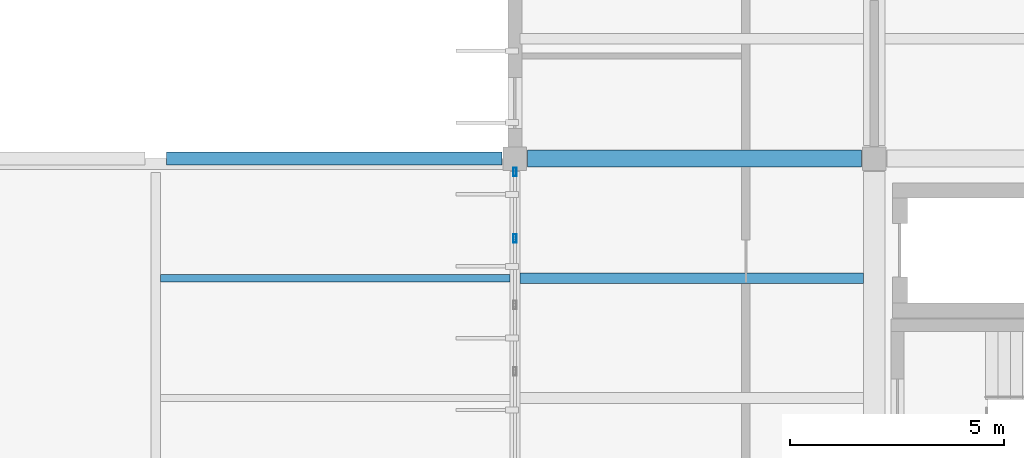
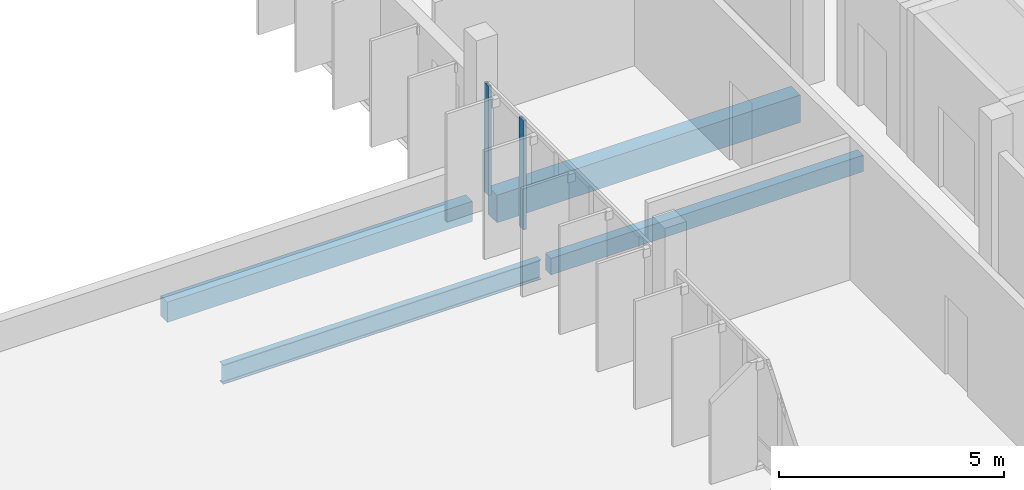
# One storey, part 21 of 130: 4 beams, 2 members, 1 element without a shape of its own.
"""IFC4 building model written with IfcOpenShell, lengths in metres."""

from ifc_helpers import new_model, si_unit, direction, frame, origin, origin_2d, place, context, subcontext, project, spatial, rectangle, hollow_rectangle, i_section, extrude, material, layer, layer_set, material_profile, profile_set, type_object, element, aggregate, save


model = new_model("IFC4")

# Units and contexts
model_context = context("Model", 3, precision=1e-05, world=origin(), true_north=direction((0.0, 1.0)))
body_context = subcontext(model_context, "Body", "Model", "MODEL_VIEW")
ifc_project = project(units=[si_unit("LENGTHUNIT", "METRE"), si_unit("AREAUNIT", "SQUARE_METRE"), si_unit("VOLUMEUNIT", "CUBIC_METRE"), si_unit("PLANEANGLEUNIT", "RADIAN"), si_unit("MASSUNIT", "GRAM", prefix="KILO")], contexts=[model_context])

# Site, building, storey
site_placement = place(None, origin())
site = spatial("IfcSite", under=ifc_project, at=site_placement, CompositionType="ELEMENT")
building_placement = place(site_placement, origin())
building = spatial("IfcBuilding", under=site, at=building_placement, Name="Vireocrest Preparatory School", CompositionType="ELEMENT")
storey_placement = place(building_placement, frame((0.0, 0.0, 9.0)))
storey = spatial("IfcBuildingStorey", under=building, at=storey_placement, Name="L02", CompositionType="ELEMENT", Elevation=9.0)

# Curtain wall, members
ifc_material_1 = material(Name="Thermally broken aluminium EN AW-6063-T6", Category="aluminium")
ifc_layer = layer(ifc_material_1, 0.179931640625)
ifc_layer_set = layer_set([ifc_layer], Name="Thermally broken aluminium EN AW-6063-T6")
curtain_wall_type = type_object("IfcCurtainWallType", Name="Teaching Fin Curtain Wall 8400x4200", PredefinedType="USERDEFINED", material=ifc_layer_set)
curtain_wall_placement = place(storey_placement, origin())
curtain_wall = element("IfcCurtainWall", 1, at=curtain_wall_placement, inside=storey, type_object=curtain_wall_type, Name="Curtain Wall CW03 CW_L02_CW03_0420_0440_090", ObjectType="CURTAIN WALL", PredefinedType="USERDEFINED")
ifc_material_profile_1 = material_profile(ifc_material_1, hollow_rectangle(XDim=0.074951171875, YDim=0.199951171875, WallThickness=0.0048828125, at=origin_2d()), Name="ALU 75x200x5")
ifc_profile_set_1 = profile_set([ifc_material_profile_1], Name="Thermally broken aluminium EN AW-6063-T6")
member_type = type_object("IfcMemberType", Name="CW Mullion 75x200x5", PredefinedType="MULLION", material=ifc_profile_set_1)
member_1_placement = place(storey_placement, frame((42.0, 50.333984375, 0.0), z_axis=(0.0, 0.0, 1.0), x_axis=(1.0, 0.0, 0.0)))
member_1 = element("IfcMember", 2, at=member_1_placement, type_object=member_type, Name="CW Mullion ML3 CW_L02_CW03_0420_0440_090-5", PredefinedType="MULLION", context=body_context, shape_type="SweptSolid", body=[
    extrude(hollow_rectangle(XDim=0.074951171875, YDim=0.199951171875, WallThickness=0.0048828125, at=origin_2d()), origin(), (0.0, 0.0, 1.0), 2.97509765625),
])
member_2_placement = place(storey_placement, frame((42.0, 51.889892578125, 0.0), z_axis=(0.0, 0.0, 1.0), x_axis=(1.0, 0.0, 0.0)))
member_2 = element("IfcMember", 3, at=member_2_placement, type_object=member_type, Name="CW Mullion ML3 CW_L02_CW03_0420_0440_090-6", PredefinedType="MULLION", context=body_context, shape_type="SweptSolid", body=[
    extrude(hollow_rectangle(XDim=0.074951171875, YDim=0.199951171875, WallThickness=0.0048828125, at=origin_2d()), origin(), (0.0, 0.0, 1.0), 2.97509765625),
])
aggregate(curtain_wall, [member_1, member_2])

# Beams
ifc_material_2 = material(Name="Structural steel ASTM A992 Grade 50", Category="steel")
ifc_material_profile_2 = material_profile(ifc_material_2, i_section(OverallWidth=0.166015625, OverallDepth=0.529052734375, WebThickness=0.009765625, FlangeThickness=0.013671875, FilletRadius=0.014892578125, at=origin_2d()), Name="W21X50")
ifc_profile_set_2 = profile_set([ifc_material_profile_2], Name="Structural steel ASTM A992 Grade 50")
beam_type_1 = type_object("IfcBeamType", Name="Pavilion Roof Joist W21X50", PredefinedType="JOIST", material=ifc_profile_set_2)
beam_1_placement = place(storey_placement, frame((33.714111328125, 49.39990234375, -0.484619140625), z_axis=(1.0, 0.0, 0.0), x_axis=(0.0, 1.0, 0.0)))
element("IfcBeam", 4, at=beam_1_placement, inside=storey, type_object=beam_type_1, Name="Secondary Joist SJ1 L02-0889", PredefinedType="JOIST", context=body_context, shape_type="SweptSolid", body=[
    extrude(i_section(OverallWidth=0.166015625, OverallDepth=0.529052734375, WebThickness=0.009765625, FlangeThickness=0.013671875, FilletRadius=0.014892578125, at=origin_2d()), origin(), (0.0, 0.0, 1.0), 8.171875),
])
ifc_material_3 = material(Name="Concrete 40 MPa", Category="concrete")
ifc_material_profile_3 = material_profile(ifc_material_3, rectangle(XDim=0.39990234375, YDim=0.75, at=origin_2d()), Name="RC 400x750")
ifc_profile_set_3 = profile_set([ifc_material_profile_3], Name="Concrete 40 MPa")
beam_type_2 = type_object("IfcBeamType", Name="RC Commons Girder 400x750", PredefinedType="BEAM", material=ifc_profile_set_3)
beam_2_placement = place(storey_placement, frame((42.300048828125, 52.199951171875, -0.614990234375), z_axis=(1.0, 0.0, 0.0), x_axis=(0.0, 1.0, 0.0)))
element("IfcBeam", 5, at=beam_2_placement, inside=storey, type_object=beam_type_2, Name="Primary Girder B09 L02-0727", PredefinedType="BEAM", context=body_context, shape_type="SweptSolid", body=[
    extrude(rectangle(XDim=0.39990234375, YDim=0.75, at=origin_2d()), origin(), (0.0, 0.0, 1.0), 7.800048828125),
])
ifc_material_profile_4 = material_profile(ifc_material_3, rectangle(XDim=0.300048828125, YDim=0.550048828125, at=origin_2d()), Name="RC 300x550")
ifc_profile_set_4 = profile_set([ifc_material_profile_4], Name="Concrete 40 MPa")
beam_type_3 = type_object("IfcBeamType", Name="RC Roof Girder 300x550", PredefinedType="BEAM", material=ifc_profile_set_4)
beam_3_placement = place(storey_placement, frame((33.85009765625, 52.199951171875, -0.4951171875), z_axis=(1.0, 0.0, 0.0), x_axis=(0.0, 1.0, 0.0)))
element("IfcBeam", 6, at=beam_3_placement, inside=storey, type_object=beam_type_3, Name="Primary Girder B02 L02-0726", PredefinedType="BEAM", context=body_context, shape_type="SweptSolid", body=[
    extrude(rectangle(XDim=0.300048828125, YDim=0.550048828125, at=origin_2d()), origin(), (0.0, 0.0, 1.0), 7.849853515625),
])
ifc_material_profile_5 = material_profile(ifc_material_3, rectangle(XDim=0.25, YDim=0.449951171875, at=origin_2d()), Name="RC 250x450")
ifc_profile_set_5 = profile_set([ifc_material_profile_5], Name="Concrete 40 MPa")
beam_type_4 = type_object("IfcBeamType", Name="RC Secondary Floor Joist 250x450", PredefinedType="JOIST", material=ifc_profile_set_5)
beam_4_placement = place(storey_placement, frame((42.114013671875, 49.39990234375, -0.465087890625), z_axis=(1.0, 0.0, 0.0), x_axis=(0.0, 1.0, 0.0)))
element("IfcBeam", 7, at=beam_4_placement, inside=storey, type_object=beam_type_4, Name="Secondary Joist J01 L02-0895", PredefinedType="JOIST", context=body_context, shape_type="SweptSolid", body=[
    extrude(rectangle(XDim=0.25, YDim=0.449951171875, at=origin_2d()), origin(), (0.0, 0.0, 1.0), 8.035888671875),
])

save(model, "model.ifc")
